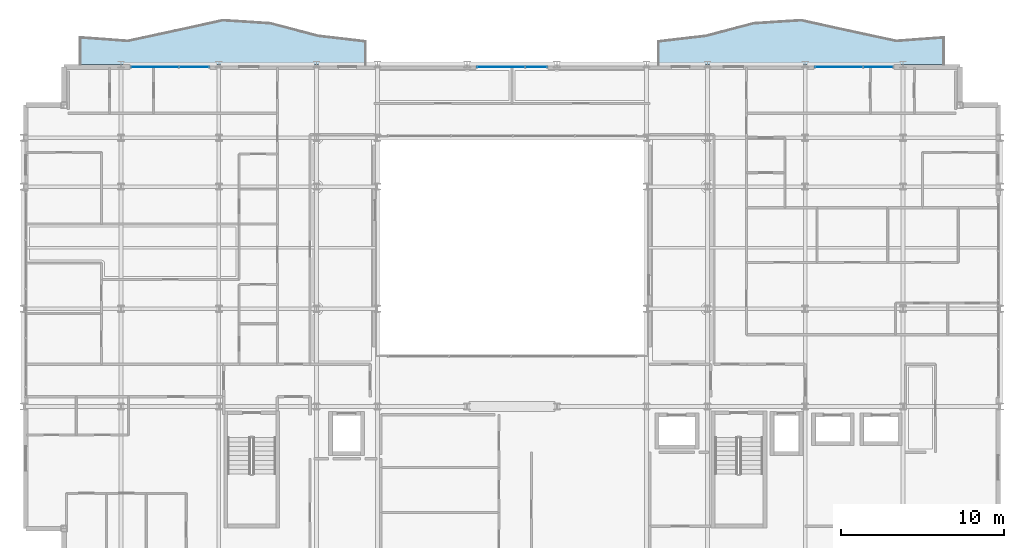
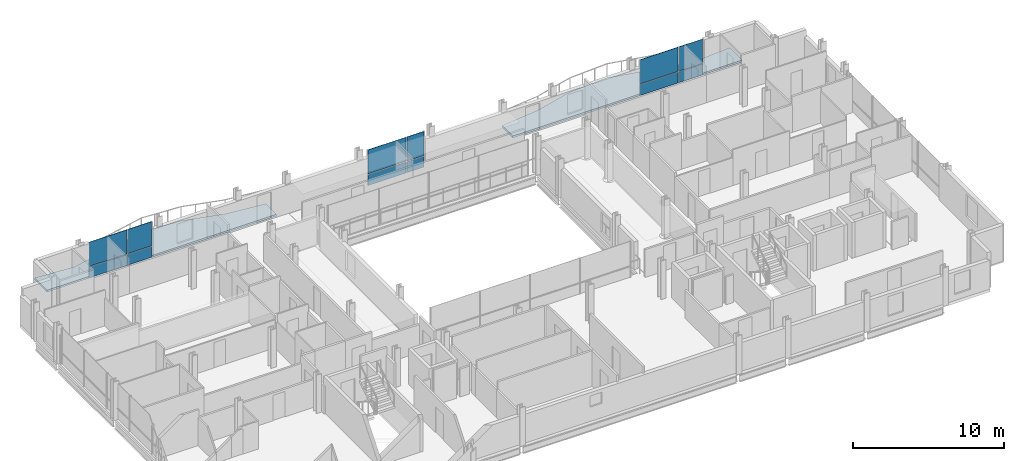
# One storey, part 31 of 41: 12 plates, 2 slabs, 3 elements without a shape of their own.
"""IFC4 building model written with IfcOpenShell, lengths in metres."""

from ifc_helpers import new_model, si_unit, direction, frame, origin, origin_2d, place, context, subcontext, project, spatial, polyline, rectangle, outline, extrude, material, layer, layer_set, type_object, element, aggregate, save


model = new_model("IFC4")

# Units and contexts
model_context = context("Model", 3, precision=1e-05, world=origin(), true_north=direction((0.0, 1.0)))
body_context = subcontext(model_context, "Body", "Model", "MODEL_VIEW")
ifc_project = project(units=[si_unit("LENGTHUNIT", "METRE"), si_unit("AREAUNIT", "SQUARE_METRE"), si_unit("VOLUMEUNIT", "CUBIC_METRE"), si_unit("PLANEANGLEUNIT", "RADIAN"), si_unit("MASSUNIT", "GRAM", prefix="KILO")], contexts=[model_context])

# Site, building, storey
site_placement = place(None, origin())
site = spatial("IfcSite", under=ifc_project, at=site_placement, CompositionType="ELEMENT")
building_placement = place(site_placement, origin())
building = spatial("IfcBuilding", under=site, at=building_placement, Name="Brevholm Reach", CompositionType="ELEMENT")
storey_placement = place(building_placement, frame((0.0, 0.0, 163.5)))
storey = spatial("IfcBuildingStorey", under=building, at=storey_placement, Name="L49", CompositionType="ELEMENT", Elevation=163.5)

# Curtain wall, plates
ifc_material_1 = material(Name="Dark Anodised Aluminium 6063-T6 and Solar-Control Glass", Category="aluminium")
ifc_layer_1 = layer(ifc_material_1, 0.14990234375)
ifc_layer_set_1 = layer_set([ifc_layer_1], Name="Dark Anodised Aluminium 6063-T6 and Solar-Control Glass")
curtain_wall_type = type_object("IfcCurtainWallType", Name="CW-01", PredefinedType="NOTDEFINED", material=ifc_layer_set_1)
curtain_wall_1_placement = place(storey_placement, origin())
curtain_wall_1 = element("IfcCurtainWall", 1, at=curtain_wall_1_placement, inside=storey, type_object=curtain_wall_type, Name="L49 Curtain Wall CW-01", PredefinedType="NOTDEFINED")
ifc_material_2 = material(Name="Dark Solar-Control Double-Glazed IGU Glass", Category="glass")
ifc_layer_2 = layer(ifc_material_2, 0.028076171875)
ifc_layer_set_2 = layer_set([ifc_layer_2], Name="Dark Solar-Control Double-Glazed IGU Glass")
plate_type = type_object("IfcPlateType", Name="CWP-GLZ-28", PredefinedType="CURTAIN_PANEL", material=ifc_layer_set_2)
plate_1_placement = place(storey_placement, frame((8.066162109375, 30.85009765625, 0.0), z_axis=(0.0, 0.0, 1.0), x_axis=(1.0, 0.0, 0.0)))
plate_1 = element("IfcPlate", 2, at=plate_1_placement, type_object=plate_type, Name="CP-01 Glazing Panel 1.1", PredefinedType="CURTAIN_PANEL", context=body_context, shape_type="SweptSolid", body=[
    extrude(rectangle(XDim=2.902587890625, YDim=0.028076171875, at=origin_2d()), origin(), (0.0, 0.0, 1.0), 0.867431640625),
])
plate_2_placement = place(storey_placement, frame((8.066162109375, 30.85009765625, 0.9326171875), z_axis=(0.0, 0.0, 1.0), x_axis=(1.0, 0.0, 0.0)))
plate_2 = element("IfcPlate", 3, at=plate_2_placement, type_object=plate_type, Name="CP-01 Glazing Panel 1.2", PredefinedType="CURTAIN_PANEL", context=body_context, shape_type="SweptSolid", body=[
    extrude(rectangle(XDim=2.902587890625, YDim=0.028076171875, at=origin_2d()), origin(), (0.0, 0.0, 1.0), 1.947509765625),
])
plate_3_placement = place(storey_placement, frame((10.483642578125, 30.85009765625, 0.0), z_axis=(0.0, 0.0, 1.0), x_axis=(1.0, 0.0, 0.0)))
plate_3 = element("IfcPlate", 4, at=plate_3_placement, type_object=plate_type, Name="CP-01 Glazing Panel 2.1", PredefinedType="CURTAIN_PANEL", context=body_context, shape_type="SweptSolid", body=[
    extrude(rectangle(XDim=1.802490234375, YDim=0.028076171875, at=origin_2d()), origin(), (0.0, 0.0, 1.0), 0.867431640625),
])
plate_4_placement = place(storey_placement, frame((10.483642578125, 30.85009765625, 0.9326171875), z_axis=(0.0, 0.0, 1.0), x_axis=(1.0, 0.0, 0.0)))
plate_4 = element("IfcPlate", 5, at=plate_4_placement, type_object=plate_type, Name="CP-01 Glazing Panel 2.2", PredefinedType="CURTAIN_PANEL", context=body_context, shape_type="SweptSolid", body=[
    extrude(rectangle(XDim=1.802490234375, YDim=0.028076171875, at=origin_2d()), origin(), (0.0, 0.0, 1.0), 1.947509765625),
])
aggregate(curtain_wall_1, [plate_1, plate_2, plate_3, plate_4])

curtain_wall_2_placement = place(storey_placement, origin())
curtain_wall_2 = element("IfcCurtainWall", 6, at=curtain_wall_2_placement, inside=storey, type_object=curtain_wall_type, Name="L49 Curtain Wall CW-01", PredefinedType="NOTDEFINED")
plate_5_placement = place(storey_placement, frame((29.316162109375, 30.85009765625, 0.0), z_axis=(0.0, 0.0, 1.0), x_axis=(1.0, 0.0, 0.0)))
plate_5 = element("IfcPlate", 7, at=plate_5_placement, type_object=plate_type, Name="CP-01 Glazing Panel 1.1", PredefinedType="CURTAIN_PANEL", context=body_context, shape_type="SweptSolid", body=[
    extrude(rectangle(XDim=2.902587890625, YDim=0.028076171875, at=origin_2d()), origin(), (0.0, 0.0, 1.0), 0.867431640625),
])
plate_6_placement = place(storey_placement, frame((29.316162109375, 30.85009765625, 0.9326171875), z_axis=(0.0, 0.0, 1.0), x_axis=(1.0, 0.0, 0.0)))
plate_6 = element("IfcPlate", 8, at=plate_6_placement, type_object=plate_type, Name="CP-01 Glazing Panel 1.2", PredefinedType="CURTAIN_PANEL", context=body_context, shape_type="SweptSolid", body=[
    extrude(rectangle(XDim=2.902587890625, YDim=0.028076171875, at=origin_2d()), origin(), (0.0, 0.0, 1.0), 1.947509765625),
])
plate_7_placement = place(storey_placement, frame((31.483642578125, 30.85009765625, 0.0), z_axis=(0.0, 0.0, 1.0), x_axis=(1.0, 0.0, 0.0)))
plate_7 = element("IfcPlate", 9, at=plate_7_placement, type_object=plate_type, Name="CP-01 Glazing Panel 2.1", PredefinedType="CURTAIN_PANEL", context=body_context, shape_type="SweptSolid", body=[
    extrude(rectangle(XDim=1.302490234375, YDim=0.028076171875, at=origin_2d()), origin(), (0.0, 0.0, 1.0), 0.867431640625),
])
plate_8_placement = place(storey_placement, frame((31.483642578125, 30.85009765625, 0.9326171875), z_axis=(0.0, 0.0, 1.0), x_axis=(1.0, 0.0, 0.0)))
plate_8 = element("IfcPlate", 10, at=plate_8_placement, type_object=plate_type, Name="CP-01 Glazing Panel 2.2", PredefinedType="CURTAIN_PANEL", context=body_context, shape_type="SweptSolid", body=[
    extrude(rectangle(XDim=1.302490234375, YDim=0.028076171875, at=origin_2d()), origin(), (0.0, 0.0, 1.0), 1.947509765625),
])
aggregate(curtain_wall_2, [plate_5, plate_6, plate_7, plate_8])

curtain_wall_3_placement = place(storey_placement, origin())
curtain_wall_3 = element("IfcCurtainWall", 11, at=curtain_wall_3_placement, inside=storey, type_object=curtain_wall_type, Name="L49 Curtain Wall CW-01", PredefinedType="NOTDEFINED")
plate_9_placement = place(storey_placement, frame((50.066162109375, 30.85009765625, 0.0), z_axis=(0.0, 0.0, 1.0), x_axis=(1.0, 0.0, 0.0)))
plate_9 = element("IfcPlate", 12, at=plate_9_placement, type_object=plate_type, Name="CP-01 Glazing Panel 1.1", PredefinedType="CURTAIN_PANEL", context=body_context, shape_type="SweptSolid", body=[
    extrude(rectangle(XDim=2.902587890625, YDim=0.028076171875, at=origin_2d()), origin(), (0.0, 0.0, 1.0), 0.867431640625),
])
plate_10_placement = place(storey_placement, frame((50.066162109375, 30.85009765625, 0.9326171875), z_axis=(0.0, 0.0, 1.0), x_axis=(1.0, 0.0, 0.0)))
plate_10 = element("IfcPlate", 13, at=plate_10_placement, type_object=plate_type, Name="CP-01 Glazing Panel 1.2", PredefinedType="CURTAIN_PANEL", context=body_context, shape_type="SweptSolid", body=[
    extrude(rectangle(XDim=2.902587890625, YDim=0.028076171875, at=origin_2d()), origin(), (0.0, 0.0, 1.0), 1.947509765625),
])
plate_11_placement = place(storey_placement, frame((52.483642578125, 30.85009765625, 0.0), z_axis=(0.0, 0.0, 1.0), x_axis=(1.0, 0.0, 0.0)))
plate_11 = element("IfcPlate", 14, at=plate_11_placement, type_object=plate_type, Name="CP-01 Glazing Panel 2.1", PredefinedType="CURTAIN_PANEL", context=body_context, shape_type="SweptSolid", body=[
    extrude(rectangle(XDim=1.802490234375, YDim=0.028076171875, at=origin_2d()), origin(), (0.0, 0.0, 1.0), 0.867431640625),
])
plate_12_placement = place(storey_placement, frame((52.483642578125, 30.85009765625, 0.9326171875), z_axis=(0.0, 0.0, 1.0), x_axis=(1.0, 0.0, 0.0)))
plate_12 = element("IfcPlate", 15, at=plate_12_placement, type_object=plate_type, Name="CP-01 Glazing Panel 2.2", PredefinedType="CURTAIN_PANEL", context=body_context, shape_type="SweptSolid", body=[
    extrude(rectangle(XDim=1.802490234375, YDim=0.028076171875, at=origin_2d()), origin(), (0.0, 0.0, 1.0), 1.947509765625),
])
aggregate(curtain_wall_3, [plate_9, plate_10, plate_11, plate_12])

# Slabs
ifc_material_3 = material(Name="Precast Concrete C45/55", Category="concrete")
ifc_layer_3 = layer(ifc_material_3, 0.14990234375)
ifc_layer_set_3 = layer_set([ifc_layer_3], Name="Precast Concrete C45/55")
slab_type = type_object("IfcSlabType", Name="SLB-BAL-150", PredefinedType="FLOOR", material=ifc_layer_set_3)
slab_1_placement = place(storey_placement, frame((0.0, 0.0, -0.14990234375)))
element("IfcSlab", 16, at=slab_1_placement, inside=storey, type_object=slab_type, Name="L49 Rippling External Balcony NE", PredefinedType="FLOOR", context=body_context, shape_type="SweptSolid", body=[
    extrude(outline(polyline([(39.0, 31.0), (56.5, 31.0), (56.5, 32.650146484375), (53.583251953125, 32.436767578125), (50.666748046875, 33.063232421875), (47.75, 33.705078125), (44.833251953125, 33.517822265625), (41.916748046875, 32.747802734375), (39.0, 32.408203125), (39.0, 31.0)])), origin(), (0.0, 0.0, 1.0), 0.14990234375),
])
slab_2_placement = place(storey_placement, frame((0.0, 0.0, -0.14990234375)))
element("IfcSlab", 17, at=slab_2_placement, inside=storey, type_object=slab_type, Name="L49 Rippling External Balcony NW", PredefinedType="FLOOR", context=body_context, shape_type="SweptSolid", body=[
    extrude(outline(polyline([(3.5, 31.0), (21.0, 31.0), (21.0, 32.408203125), (18.083251953125, 32.747802734375), (15.166748046875, 33.517822265625), (12.25, 33.705078125), (9.333251953125, 33.063232421875), (6.416748046875, 32.436767578125), (3.5, 32.650146484375), (3.5, 31.0)])), origin(), (0.0, 0.0, 1.0), 0.14990234375),
])

save(model, "model.ifc")
